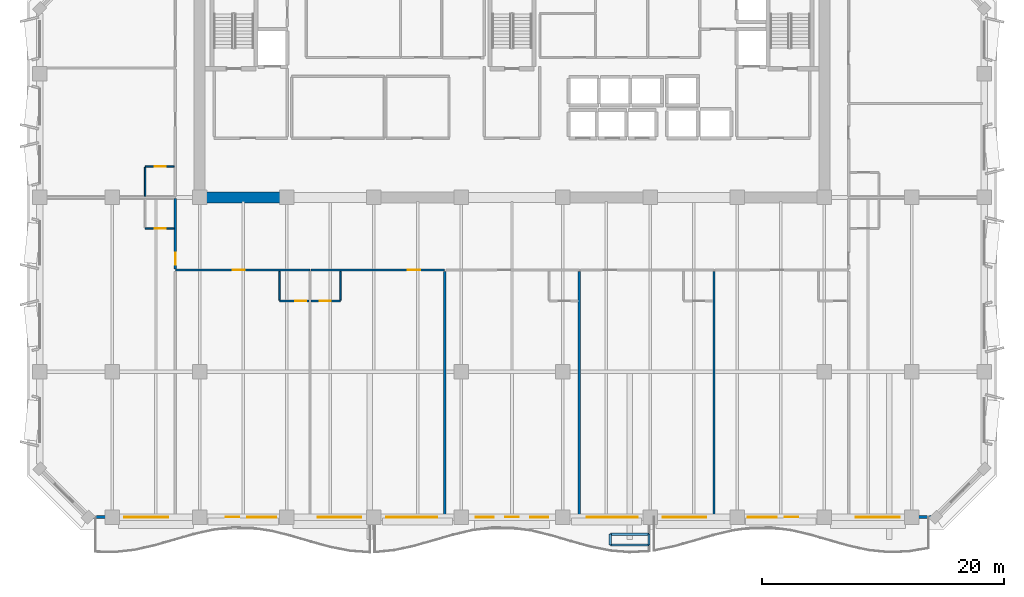
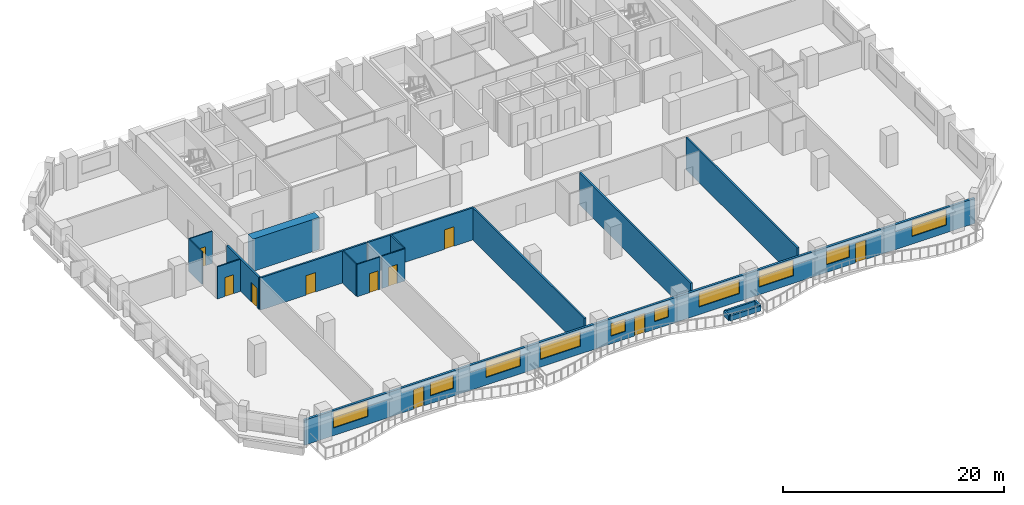
# One storey, part 4 of 14: 19 walls, 10 doors, 10 windows, 20 openings.
"""IFC4 building model written with IfcOpenShell, lengths in metres."""

from ifc_helpers import new_model, si_unit, direction, frame, frame_2d, origin, place, context, subcontext, project, spatial, rectangle, extrude, material, layer, layer_set, type_object, element, fill, save


model = new_model("IFC4")

# Units and contexts
model_context = context("Model", 3, precision=1e-05, world=origin(), true_north=direction((0.0, 1.0)))
body_context = subcontext(model_context, "Body", "Model", "MODEL_VIEW")
ifc_project = project(units=[si_unit("LENGTHUNIT", "METRE"), si_unit("AREAUNIT", "SQUARE_METRE"), si_unit("VOLUMEUNIT", "CUBIC_METRE"), si_unit("PLANEANGLEUNIT", "RADIAN"), si_unit("MASSUNIT", "GRAM", prefix="KILO")], contexts=[model_context])

# Site, building, storey
site_placement = place(None, origin())
site = spatial("IfcSite", under=ifc_project, at=site_placement, CompositionType="ELEMENT")
building_placement = place(site_placement, origin())
building = spatial("IfcBuilding", under=site, at=building_placement, Name="Kaelvorn Grand Hotel", CompositionType="ELEMENT")
storey_placement = place(building_placement, frame((0.0, 0.0, 201.550048828125)))
storey = spatial("IfcBuildingStorey", under=building, at=storey_placement, Name="L49", CompositionType="ELEMENT", Elevation=201.550048828125)

# Wall
ifc_material_1 = material(Name="Concrete C60/75", Category="concrete")
ifc_layer_1 = layer(ifc_material_1, 0.89990234375)
ifc_layer_set_1 = layer_set([ifc_layer_1], Name="Concrete C60/75")
wall_type_1 = type_object("IfcWallType", Name="WL-CORE-900-C60", PredefinedType="SHEAR", material=ifc_layer_set_1)
wall_1_placement = place(storey_placement, frame((16.655029296875, 29.39990234375, 0.0), z_axis=(0.0, 0.0, 1.0), x_axis=(1.0, 0.0, 0.0)))
element("IfcWall", 1, at=wall_1_placement, inside=storey, type_object=wall_type_1, Name="L49 Rear-Core Coupled Shear Pier S1", PredefinedType="SHEAR", context=body_context, shape_type="SweptSolid", body=[
    extrude(rectangle(XDim=6.945068359375, YDim=0.89990234375, at=frame_2d((3.47265625, 0.0))), origin(), (0.0, 0.0, 1.0), 3.56005859375),
])

# Wall, openings, doors, windows
ifc_material_2 = material(Name="Concrete C40/50", Category="concrete")
ifc_layer_2 = layer(ifc_material_2, 0.239990234375)
ifc_layer_set_2 = layer_set([ifc_layer_2], Name="Concrete C40/50")
wall_type_2 = type_object("IfcWallType", Name="WL-EXT-240-C40", PredefinedType="SOLIDWALL", material=ifc_layer_set_2)
wall_2_placement = place(storey_placement, frame((7.0, 3.0, 0.0), z_axis=(0.0, 0.0, 1.0), x_axis=(1.0, 0.0, 0.0)))
wall_2 = element("IfcWall", 2, at=wall_2_placement, inside=storey, type_object=wall_type_2, Name="L49 Exterior Architectural Concrete Wall 01", PredefinedType="SOLIDWALL", context=body_context, shape_type="SweptSolid", body=[
    extrude(rectangle(XDim=70.0, YDim=0.239990234375, at=frame_2d((35.0, 0.0))), origin(), (0.0, 0.0, 1.0), 2.760009765625),
])
opening_1_placement = place(wall_2_placement, frame((11.38330078125, 0.0, 0.0)))
opening_1 = element("IfcOpeningElement", 3, at=opening_1_placement, cuts=wall_2, Name="Opening DE2", PredefinedType="OPENING", context=body_context, shape_type="SweptSolid", body=[
    extrude(rectangle(XDim=1.10009765625, YDim=2.14990234375, at=frame_2d((0.550048828125, 1.074951171875))), frame((0.0, 0.1298828125, 0.0), z_axis=(0.0, -1.0, 0.0), x_axis=(1.0, 0.0, 0.0)), (0.0, 0.0, 1.0), 0.260009765625),
])
opening_2_placement = place(wall_2_placement, frame((34.449951171875, 0.0, 0.0)))
opening_2 = element("IfcOpeningElement", 4, at=opening_2_placement, cuts=wall_2, Name="Opening DE2", PredefinedType="OPENING", context=body_context, shape_type="SweptSolid", body=[
    extrude(rectangle(XDim=1.10009765625, YDim=2.14990234375, at=frame_2d((0.550048828125, 1.074951171875))), frame((0.0, 0.1298828125, 0.0), z_axis=(0.0, -1.0, 0.0), x_axis=(1.0, 0.0, 0.0)), (0.0, 0.0, 1.0), 0.260009765625),
])
opening_3_placement = place(wall_2_placement, frame((57.5166015625, 0.0, 0.0)))
opening_3 = element("IfcOpeningElement", 5, at=opening_3_placement, cuts=wall_2, Name="Opening DE2", PredefinedType="OPENING", context=body_context, shape_type="SweptSolid", body=[
    extrude(rectangle(XDim=1.10009765625, YDim=2.14990234375, at=frame_2d((0.550048828125, 1.074951171875))), frame((0.0, 0.1298828125, 0.0), z_axis=(0.0, -1.0, 0.0), x_axis=(1.0, 0.0, 0.0)), (0.0, 0.0, 1.0), 0.260009765625),
])
opening_4_placement = place(wall_2_placement, frame((3.0, 0.0, 0.85009765625)))
opening_4 = element("IfcOpeningElement", 6, at=opening_4_placement, cuts=wall_2, Name="Opening W3", PredefinedType="OPENING", context=body_context, shape_type="SweptSolid", body=[
    extrude(rectangle(XDim=3.60009765625, YDim=1.75, at=frame_2d((1.800048828125, 0.875))), frame((0.0, 0.1298828125, 0.0), z_axis=(0.0, -1.0, 0.0), x_axis=(1.0, 0.0, 0.0)), (0.0, 0.0, 1.0), 0.260009765625),
])
opening_5_placement = place(wall_2_placement, frame((13.126708984375, 0.0, 0.85009765625)))
opening_5 = element("IfcOpeningElement", 7, at=opening_5_placement, cuts=wall_2, Name="Opening W6", PredefinedType="OPENING", context=body_context, shape_type="SweptSolid", body=[
    extrude(rectangle(XDim=2.39990234375, YDim=1.5, at=frame_2d((1.199951171875, 0.75))), frame((0.0, 0.1298828125, 0.0), z_axis=(0.0, -1.0, 0.0), x_axis=(1.0, 0.0, 0.0)), (0.0, 0.0, 1.0), 0.260009765625),
])
opening_6_placement = place(wall_2_placement, frame((18.9599609375, 0.0, 0.85009765625)))
opening_6 = element("IfcOpeningElement", 8, at=opening_6_placement, cuts=wall_2, Name="Opening W3", PredefinedType="OPENING", context=body_context, shape_type="SweptSolid", body=[
    extrude(rectangle(XDim=3.60009765625, YDim=1.75, at=frame_2d((1.800048828125, 0.875))), frame((0.0, 0.1298828125, 0.0), z_axis=(0.0, -1.0, 0.0), x_axis=(1.0, 0.0, 0.0)), (0.0, 0.0, 1.0), 0.260009765625),
])
opening_7_placement = place(wall_2_placement, frame((24.6201171875, 0.0, 0.85009765625)))
opening_7 = element("IfcOpeningElement", 9, at=opening_7_placement, cuts=wall_2, Name="Opening W2", PredefinedType="OPENING", context=body_context, shape_type="SweptSolid", body=[
    extrude(rectangle(XDim=4.199951171875, YDim=1.64990234375, at=frame_2d((2.10009765625, 0.824951171875))), frame((0.0, 0.1298828125, 0.0), z_axis=(0.0, -1.0, 0.0), x_axis=(1.0, 0.0, 0.0)), (0.0, 0.0, 1.0), 0.260009765625),
])
opening_8_placement = place(wall_2_placement, frame((31.989990234375, 0.0, 0.85009765625)))
opening_8 = element("IfcOpeningElement", 10, at=opening_8_placement, cuts=wall_2, Name="Opening W10", PredefinedType="OPENING", context=body_context, shape_type="SweptSolid", body=[
    extrude(rectangle(XDim=1.5, YDim=1.39990234375, at=frame_2d((0.75, 0.699951171875))), frame((0.0, 0.1298828125, 0.0), z_axis=(0.0, -1.0, 0.0), x_axis=(1.0, 0.0, 0.0)), (0.0, 0.0, 1.0), 0.260009765625),
])
opening_9_placement = place(wall_2_placement, frame((36.510009765625, 0.0, 0.85009765625)))
opening_9 = element("IfcOpeningElement", 11, at=opening_9_placement, cuts=wall_2, Name="Opening W10", PredefinedType="OPENING", context=body_context, shape_type="SweptSolid", body=[
    extrude(rectangle(XDim=1.5, YDim=1.39990234375, at=frame_2d((0.75, 0.699951171875))), frame((0.0, 0.1298828125, 0.0), z_axis=(0.0, -1.0, 0.0), x_axis=(1.0, 0.0, 0.0)), (0.0, 0.0, 1.0), 0.260009765625),
])
opening_10_placement = place(wall_2_placement, frame((41.179931640625, 0.0, 0.85009765625)))
opening_10 = element("IfcOpeningElement", 12, at=opening_10_placement, cuts=wall_2, Name="Opening W2", PredefinedType="OPENING", context=body_context, shape_type="SweptSolid", body=[
    extrude(rectangle(XDim=4.199951171875, YDim=1.64990234375, at=frame_2d((2.10009765625, 0.824951171875))), frame((0.0, 0.1298828125, 0.0), z_axis=(0.0, -1.0, 0.0), x_axis=(1.0, 0.0, 0.0)), (0.0, 0.0, 1.0), 0.260009765625),
])
opening_11_placement = place(wall_2_placement, frame((47.43994140625, 0.0, 0.85009765625)))
opening_11 = element("IfcOpeningElement", 13, at=opening_11_placement, cuts=wall_2, Name="Opening W3", PredefinedType="OPENING", context=body_context, shape_type="SweptSolid", body=[
    extrude(rectangle(XDim=3.60009765625, YDim=1.75, at=frame_2d((1.800048828125, 0.875))), frame((0.0, 0.1298828125, 0.0), z_axis=(0.0, -1.0, 0.0), x_axis=(1.0, 0.0, 0.0)), (0.0, 0.0, 1.0), 0.260009765625),
])
opening_12_placement = place(wall_2_placement, frame((54.473388671875, 0.0, 0.85009765625)))
opening_12 = element("IfcOpeningElement", 14, at=opening_12_placement, cuts=wall_2, Name="Opening W6", PredefinedType="OPENING", context=body_context, shape_type="SweptSolid", body=[
    extrude(rectangle(XDim=2.39990234375, YDim=1.5, at=frame_2d((1.199951171875, 0.75))), frame((0.0, 0.1298828125, 0.0), z_axis=(0.0, -1.0, 0.0), x_axis=(1.0, 0.0, 0.0)), (0.0, 0.0, 1.0), 0.260009765625),
])
opening_13_placement = place(wall_2_placement, frame((63.39990234375, 0.0, 0.85009765625)))
opening_13 = element("IfcOpeningElement", 15, at=opening_13_placement, cuts=wall_2, Name="Opening W3", PredefinedType="OPENING", context=body_context, shape_type="SweptSolid", body=[
    extrude(rectangle(XDim=3.60009765625, YDim=1.75, at=frame_2d((1.800048828125, 0.875))), frame((0.0, 0.1298828125, 0.0), z_axis=(0.0, -1.0, 0.0), x_axis=(1.0, 0.0, 0.0)), (0.0, 0.0, 1.0), 0.260009765625),
])
ifc_material_3 = material(Name="Anodised Aluminium", Category="aluminium")
door_type_1 = type_object("IfcDoorType", Name="DR-EXT-BALC-1100x2150", OperationType="NOTDEFINED", PredefinedType="DOOR", material=ifc_material_3)
door_1_placement = place(opening_1_placement, origin())
door_1 = element("IfcDoor", 16, at=door_1_placement, inside=storey, type_object=door_type_1, Name="L49 Scalloped Balcony Glazed Door DE2-1", OperationType="SINGLE_SWING_RIGHT", OverallHeight=2.14990234375, OverallWidth=1.10009765625, PredefinedType="DOOR", context=body_context, shape_type="SweptSolid", body=[
    extrude(rectangle(XDim=1.10009765625, YDim=2.14990234375, at=frame_2d((0.550048828125, 1.074951171875))), frame((0.0, 0.02490234375, 0.0), z_axis=(0.0, -1.0, 0.0), x_axis=(1.0, 0.0, 0.0)), (0.0, 0.0, 1.0), 0.050048828125),
])
fill(opening_1, door_1)
door_2_placement = place(opening_2_placement, origin())
door_2 = element("IfcDoor", 17, at=door_2_placement, inside=storey, type_object=door_type_1, Name="L49 Scalloped Balcony Glazed Door DE2-2", OperationType="SINGLE_SWING_LEFT", OverallHeight=2.14990234375, OverallWidth=1.10009765625, PredefinedType="DOOR", context=body_context, shape_type="SweptSolid", body=[
    extrude(rectangle(XDim=1.10009765625, YDim=2.14990234375, at=frame_2d((0.550048828125, 1.074951171875))), frame((0.0, 0.02490234375, 0.0), z_axis=(0.0, -1.0, 0.0), x_axis=(1.0, 0.0, 0.0)), (0.0, 0.0, 1.0), 0.050048828125),
])
fill(opening_2, door_2)
door_3_placement = place(opening_3_placement, origin())
door_3 = element("IfcDoor", 18, at=door_3_placement, inside=storey, type_object=door_type_1, Name="L49 Scalloped Balcony Glazed Door DE2-3", OperationType="SINGLE_SWING_RIGHT", OverallHeight=2.14990234375, OverallWidth=1.10009765625, PredefinedType="DOOR", context=body_context, shape_type="SweptSolid", body=[
    extrude(rectangle(XDim=1.10009765625, YDim=2.14990234375, at=frame_2d((0.550048828125, 1.074951171875))), frame((0.0, 0.02490234375, 0.0), z_axis=(0.0, -1.0, 0.0), x_axis=(1.0, 0.0, 0.0)), (0.0, 0.0, 1.0), 0.050048828125),
])
fill(opening_3, door_3)
ifc_material_4 = material(Name="Laminated Low-E Glass", Category="glass")
window_type_1 = type_object("IfcWindowType", Name="WIN-COR-1500x1400", PartitioningType="SINGLE_PANEL", PredefinedType="WINDOW", material=ifc_material_4)
window_1_placement = place(opening_8_placement, origin())
window_1 = element("IfcWindow", 19, at=window_1_placement, inside=storey, type_object=window_type_1, Name="L49 South Guestroom Ribbon Window SR05", OverallHeight=1.39990234375, OverallWidth=1.5, PartitioningType="SINGLE_PANEL", PredefinedType="WINDOW", context=body_context, shape_type="SweptSolid", body=[
    extrude(rectangle(XDim=1.5, YDim=1.39990234375, at=frame_2d((0.75, 0.699951171875))), frame((0.0, 0.030029296875, 0.0), z_axis=(0.0, -1.0, 0.0), x_axis=(1.0, 0.0, 0.0)), (0.0, 0.0, 1.0), 0.06005859375),
])
fill(opening_8, window_1)
window_2_placement = place(opening_9_placement, origin())
window_2 = element("IfcWindow", 20, at=window_2_placement, inside=storey, type_object=window_type_1, Name="L49 South Guestroom Ribbon Window SR06", OverallHeight=1.39990234375, OverallWidth=1.5, PartitioningType="SINGLE_PANEL", PredefinedType="WINDOW", context=body_context, shape_type="SweptSolid", body=[
    extrude(rectangle(XDim=1.5, YDim=1.39990234375, at=frame_2d((0.75, 0.699951171875))), frame((0.0, 0.030029296875, 0.0), z_axis=(0.0, -1.0, 0.0), x_axis=(1.0, 0.0, 0.0)), (0.0, 0.0, 1.0), 0.06005859375),
])
fill(opening_9, window_2)
window_type_2 = type_object("IfcWindowType", Name="WIN-NTH-2400x1500", PartitioningType="SINGLE_PANEL", PredefinedType="WINDOW", material=ifc_material_4)
window_3_placement = place(opening_5_placement, origin())
window_3 = element("IfcWindow", 21, at=window_3_placement, inside=storey, type_object=window_type_2, Name="L49 South Guestroom Ribbon Window SR02", OverallHeight=1.5, OverallWidth=2.39990234375, PartitioningType="SINGLE_PANEL", PredefinedType="WINDOW", context=body_context, shape_type="SweptSolid", body=[
    extrude(rectangle(XDim=2.39990234375, YDim=1.5, at=frame_2d((1.199951171875, 0.75))), frame((0.0, 0.030029296875, 0.0), z_axis=(0.0, -1.0, 0.0), x_axis=(1.0, 0.0, 0.0)), (0.0, 0.0, 1.0), 0.06005859375),
])
fill(opening_5, window_3)
window_4_placement = place(opening_12_placement, origin())
window_4 = element("IfcWindow", 22, at=window_4_placement, inside=storey, type_object=window_type_2, Name="L49 South Guestroom Ribbon Window SR09", OverallHeight=1.5, OverallWidth=2.39990234375, PartitioningType="SINGLE_PANEL", PredefinedType="WINDOW", context=body_context, shape_type="SweptSolid", body=[
    extrude(rectangle(XDim=2.39990234375, YDim=1.5, at=frame_2d((1.199951171875, 0.75))), frame((0.0, 0.030029296875, 0.0), z_axis=(0.0, -1.0, 0.0), x_axis=(1.0, 0.0, 0.0)), (0.0, 0.0, 1.0), 0.06005859375),
])
fill(opening_12, window_4)
window_type_3 = type_object("IfcWindowType", Name="WIN-RIB-3600x1750", PartitioningType="SINGLE_PANEL", PredefinedType="WINDOW", material=ifc_material_4)
window_5_placement = place(opening_4_placement, origin())
window_5 = element("IfcWindow", 23, at=window_5_placement, inside=storey, type_object=window_type_3, Name="L49 South Guestroom Ribbon Window SR01", OverallHeight=1.75, OverallWidth=3.60009765625, PartitioningType="SINGLE_PANEL", PredefinedType="WINDOW", context=body_context, shape_type="SweptSolid", body=[
    extrude(rectangle(XDim=3.60009765625, YDim=1.75, at=frame_2d((1.800048828125, 0.875))), frame((0.0, 0.030029296875, 0.0), z_axis=(0.0, -1.0, 0.0), x_axis=(1.0, 0.0, 0.0)), (0.0, 0.0, 1.0), 0.06005859375),
])
fill(opening_4, window_5)
window_6_placement = place(opening_6_placement, origin())
window_6 = element("IfcWindow", 24, at=window_6_placement, inside=storey, type_object=window_type_3, Name="L49 South Guestroom Ribbon Window SR03", OverallHeight=1.75, OverallWidth=3.60009765625, PartitioningType="SINGLE_PANEL", PredefinedType="WINDOW", context=body_context, shape_type="SweptSolid", body=[
    extrude(rectangle(XDim=3.60009765625, YDim=1.75, at=frame_2d((1.800048828125, 0.875))), frame((0.0, 0.030029296875, 0.0), z_axis=(0.0, -1.0, 0.0), x_axis=(1.0, 0.0, 0.0)), (0.0, 0.0, 1.0), 0.06005859375),
])
fill(opening_6, window_6)
window_7_placement = place(opening_11_placement, origin())
window_7 = element("IfcWindow", 25, at=window_7_placement, inside=storey, type_object=window_type_3, Name="L49 South Guestroom Ribbon Window SR08", OverallHeight=1.75, OverallWidth=3.60009765625, PartitioningType="SINGLE_PANEL", PredefinedType="WINDOW", context=body_context, shape_type="SweptSolid", body=[
    extrude(rectangle(XDim=3.60009765625, YDim=1.75, at=frame_2d((1.800048828125, 0.875))), frame((0.0, 0.030029296875, 0.0), z_axis=(0.0, -1.0, 0.0), x_axis=(1.0, 0.0, 0.0)), (0.0, 0.0, 1.0), 0.06005859375),
])
fill(opening_11, window_7)
window_8_placement = place(opening_13_placement, origin())
window_8 = element("IfcWindow", 26, at=window_8_placement, inside=storey, type_object=window_type_3, Name="L49 South Guestroom Ribbon Window SR10", OverallHeight=1.75, OverallWidth=3.60009765625, PartitioningType="SINGLE_PANEL", PredefinedType="WINDOW", context=body_context, shape_type="SweptSolid", body=[
    extrude(rectangle(XDim=3.60009765625, YDim=1.75, at=frame_2d((1.800048828125, 0.875))), frame((0.0, 0.030029296875, 0.0), z_axis=(0.0, -1.0, 0.0), x_axis=(1.0, 0.0, 0.0)), (0.0, 0.0, 1.0), 0.06005859375),
])
fill(opening_13, window_8)
window_type_4 = type_object("IfcWindowType", Name="WIN-RIB-4200x1650", PartitioningType="SINGLE_PANEL", PredefinedType="WINDOW", material=ifc_material_4)
window_9_placement = place(opening_7_placement, origin())
window_9 = element("IfcWindow", 27, at=window_9_placement, inside=storey, type_object=window_type_4, Name="L49 South Guestroom Ribbon Window SR04", OverallHeight=1.64990234375, OverallWidth=4.199951171875, PartitioningType="SINGLE_PANEL", PredefinedType="WINDOW", context=body_context, shape_type="SweptSolid", body=[
    extrude(rectangle(XDim=4.199951171875, YDim=1.64990234375, at=frame_2d((2.10009765625, 0.824951171875))), frame((0.0, 0.030029296875, 0.0), z_axis=(0.0, -1.0, 0.0), x_axis=(1.0, 0.0, 0.0)), (0.0, 0.0, 1.0), 0.06005859375),
])
fill(opening_7, window_9)
window_10_placement = place(opening_10_placement, origin())
window_10 = element("IfcWindow", 28, at=window_10_placement, inside=storey, type_object=window_type_4, Name="L49 South Guestroom Ribbon Window SR07", OverallHeight=1.64990234375, OverallWidth=4.199951171875, PartitioningType="SINGLE_PANEL", PredefinedType="WINDOW", context=body_context, shape_type="SweptSolid", body=[
    extrude(rectangle(XDim=4.199951171875, YDim=1.64990234375, at=frame_2d((2.10009765625, 0.824951171875))), frame((0.0, 0.030029296875, 0.0), z_axis=(0.0, -1.0, 0.0), x_axis=(1.0, 0.0, 0.0)), (0.0, 0.0, 1.0), 0.06005859375),
])
fill(opening_10, window_10)

# Wall, opening, door
ifc_material_5 = material(Name="Moisture-Resistant Tile & Stud Board")
ifc_layer_3 = layer(ifc_material_5, 0.125)
ifc_layer_set_3 = layer_set([ifc_layer_3], Name="Moisture-Resistant Tile & Stud Board")
wall_type_3 = type_object("IfcWallType", Name="WL-PART-125-WET", PredefinedType="PARTITIONING", material=ifc_layer_set_3)
wall_3_placement = place(storey_placement, frame((22.820068359375, 20.85009765625, 0.0), z_axis=(0.0, 0.0, 1.0), x_axis=(1.0, 0.0, 0.0)))
wall_3 = element("IfcWall", 29, at=wall_3_placement, inside=storey, type_object=wall_type_3, Name="L49 En-suite Bathroom L49-01 S Partition", PredefinedType="PARTITIONING", context=body_context, shape_type="SweptSolid", body=[
    extrude(rectangle(XDim=2.405029296875, YDim=0.125, at=frame_2d((1.20263671875, 0.0))), origin(), (0.0, 0.0, 1.0), 3.56005859375),
])
opening_14_placement = place(wall_3_placement, frame((1.300048828125, 0.0, 0.0)))
opening_14 = element("IfcOpeningElement", 30, at=opening_14_placement, cuts=wall_3, Name="Opening DI4", PredefinedType="OPENING", context=body_context, shape_type="SweptSolid", body=[
    extrude(rectangle(XDim=0.89990234375, YDim=2.10009765625, at=frame_2d((0.449951171875, 1.050048828125))), frame((0.0, 0.072509765625, 0.0), z_axis=(0.0, -1.0, 0.0), x_axis=(1.0, 0.0, 0.0)), (0.0, 0.0, 1.0), 0.14501953125),
])
ifc_material_6 = material(Name="Timber Veneer Leaf", Category="wood")
door_type_2 = type_object("IfcDoorType", Name="DR-INT-BATH-900x2100", OperationType="NOTDEFINED", PredefinedType="DOOR", material=ifc_material_6)
door_4_placement = place(opening_14_placement, origin())
door_4 = element("IfcDoor", 31, at=door_4_placement, inside=storey, type_object=door_type_2, Name="L49 En-suite Bathroom L49-01 Door", OperationType="SINGLE_SWING_LEFT", OverallHeight=2.10009765625, OverallWidth=0.89990234375, PredefinedType="DOOR", context=body_context, shape_type="SweptSolid", body=[
    extrude(rectangle(XDim=0.89990234375, YDim=2.10009765625, at=frame_2d((0.449951171875, 1.050048828125))), frame((0.0, 0.02490234375, 0.0), z_axis=(0.0, -1.0, 0.0), x_axis=(1.0, 0.0, 0.0)), (0.0, 0.0, 1.0), 0.050048828125),
])
fill(opening_14, door_4)

# Wall
wall_4_placement = place(storey_placement, frame((22.820068359375, 20.91748046875, 0.0), z_axis=(0.0, 0.0, 1.0), x_axis=(0.0, 1.0, 0.0)))
element("IfcWall", 32, at=wall_4_placement, inside=storey, type_object=wall_type_3, Name="L49 En-suite Bathroom L49-01 W Partition", PredefinedType="PARTITIONING", context=body_context, shape_type="SweptSolid", body=[
    extrude(rectangle(XDim=2.387451171875, YDim=0.125, at=frame_2d((1.19384765625, 0.0))), origin(), (0.0, 0.0, 1.0), 3.56005859375),
])

# Wall, opening, door
wall_5_placement = place(storey_placement, frame((25.4150390625, 20.85009765625, 0.0), z_axis=(0.0, 0.0, 1.0), x_axis=(1.0, 0.0, 0.0)))
wall_5 = element("IfcWall", 33, at=wall_5_placement, inside=storey, type_object=wall_type_3, Name="L49 En-suite Bathroom L49-02 S Partition", PredefinedType="PARTITIONING", context=body_context, shape_type="SweptSolid", body=[
    extrude(rectangle(XDim=2.405029296875, YDim=0.125, at=frame_2d((1.20263671875, 0.0))), origin(), (0.0, 0.0, 1.0), 3.56005859375),
])
opening_15_placement = place(wall_5_placement, frame((0.705078125, 0.0, 0.0)))
opening_15 = element("IfcOpeningElement", 34, at=opening_15_placement, cuts=wall_5, Name="Opening DI4", PredefinedType="OPENING", context=body_context, shape_type="SweptSolid", body=[
    extrude(rectangle(XDim=0.89990234375, YDim=2.10009765625, at=frame_2d((0.449951171875, 1.050048828125))), frame((0.0, 0.072509765625, 0.0), z_axis=(0.0, -1.0, 0.0), x_axis=(1.0, 0.0, 0.0)), (0.0, 0.0, 1.0), 0.14501953125),
])
door_5_placement = place(opening_15_placement, origin())
door_5 = element("IfcDoor", 35, at=door_5_placement, inside=storey, type_object=door_type_2, Name="L49 En-suite Bathroom L49-02 Door", OperationType="SINGLE_SWING_LEFT", OverallHeight=2.10009765625, OverallWidth=0.89990234375, PredefinedType="DOOR", context=body_context, shape_type="SweptSolid", body=[
    extrude(rectangle(XDim=0.89990234375, YDim=2.10009765625, at=frame_2d((0.449951171875, 1.050048828125))), frame((0.0, 0.02490234375, 0.0), z_axis=(0.0, -1.0, 0.0), x_axis=(1.0, 0.0, 0.0)), (0.0, 0.0, 1.0), 0.050048828125),
])
fill(opening_15, door_5)

# Wall
wall_6_placement = place(storey_placement, frame((27.820068359375, 20.91748046875, 0.0), z_axis=(0.0, 0.0, 1.0), x_axis=(0.0, 1.0, 0.0)))
element("IfcWall", 36, at=wall_6_placement, inside=storey, type_object=wall_type_3, Name="L49 En-suite Bathroom L49-02 E Partition", PredefinedType="PARTITIONING", context=body_context, shape_type="SweptSolid", body=[
    extrude(rectangle(XDim=2.387451171875, YDim=0.125, at=frame_2d((1.19384765625, 0.0))), origin(), (0.0, 0.0, 1.0), 3.56005859375),
])

# Wall, opening, door
wall_7_placement = place(storey_placement, frame((11.699951171875, 26.85009765625, 0.0), z_axis=(0.0, 0.0, 1.0), x_axis=(1.0, 0.0, 0.0)))
wall_7 = element("IfcWall", 37, at=wall_7_placement, inside=storey, type_object=wall_type_3, Name="L49 En-suite Bathroom L49-06 S Partition", PredefinedType="PARTITIONING", context=body_context, shape_type="SweptSolid", body=[
    extrude(rectangle(XDim=2.405029296875, YDim=0.125, at=frame_2d((1.20263671875, 0.0))), origin(), (0.0, 0.0, 1.0), 3.56005859375),
])
opening_16_placement = place(wall_7_placement, frame((0.800048828125, 0.0, 0.0)))
opening_16 = element("IfcOpeningElement", 38, at=opening_16_placement, cuts=wall_7, Name="Opening DI4", PredefinedType="OPENING", context=body_context, shape_type="SweptSolid", body=[
    extrude(rectangle(XDim=0.89990234375, YDim=2.10009765625, at=frame_2d((0.449951171875, 1.050048828125))), frame((0.0, 0.072509765625, 0.0), z_axis=(0.0, -1.0, 0.0), x_axis=(1.0, 0.0, 0.0)), (0.0, 0.0, 1.0), 0.14501953125),
])
door_6_placement = place(opening_16_placement, origin())
door_6 = element("IfcDoor", 39, at=door_6_placement, inside=storey, type_object=door_type_2, Name="L49 En-suite Bathroom L49-06 Door", OperationType="SINGLE_SWING_LEFT", OverallHeight=2.10009765625, OverallWidth=0.89990234375, PredefinedType="DOOR", context=body_context, shape_type="SweptSolid", body=[
    extrude(rectangle(XDim=0.89990234375, YDim=2.10009765625, at=frame_2d((0.449951171875, 1.050048828125))), frame((0.0, 0.02490234375, 0.0), z_axis=(0.0, -1.0, 0.0), x_axis=(1.0, 0.0, 0.0)), (0.0, 0.0, 1.0), 0.050048828125),
])
fill(opening_16, door_6)

wall_8_placement = place(storey_placement, frame((11.699951171875, 31.949951171875, 0.0), z_axis=(0.0, 0.0, 1.0), x_axis=(1.0, 0.0, 0.0)))
wall_8 = element("IfcWall", 40, at=wall_8_placement, inside=storey, type_object=wall_type_3, Name="L49 En-suite Bathroom L49-08 N Partition", PredefinedType="PARTITIONING", context=body_context, shape_type="SweptSolid", body=[
    extrude(rectangle(XDim=2.405029296875, YDim=0.125, at=frame_2d((1.20263671875, 0.0))), origin(), (0.0, 0.0, 1.0), 3.56005859375),
])
opening_17_placement = place(wall_8_placement, frame((0.800048828125, 0.0, 0.0)))
opening_17 = element("IfcOpeningElement", 41, at=opening_17_placement, cuts=wall_8, Name="Opening DI4", PredefinedType="OPENING", context=body_context, shape_type="SweptSolid", body=[
    extrude(rectangle(XDim=0.89990234375, YDim=2.10009765625, at=frame_2d((0.449951171875, 1.050048828125))), frame((0.0, 0.072509765625, 0.0), z_axis=(0.0, -1.0, 0.0), x_axis=(1.0, 0.0, 0.0)), (0.0, 0.0, 1.0), 0.14501953125),
])
door_7_placement = place(opening_17_placement, origin())
door_7 = element("IfcDoor", 42, at=door_7_placement, inside=storey, type_object=door_type_2, Name="L49 En-suite Bathroom L49-08 Door", OperationType="SINGLE_SWING_LEFT", OverallHeight=2.10009765625, OverallWidth=0.89990234375, PredefinedType="DOOR", context=body_context, shape_type="SweptSolid", body=[
    extrude(rectangle(XDim=0.89990234375, YDim=2.10009765625, at=frame_2d((0.449951171875, 1.050048828125))), frame((0.0, 0.02490234375, 0.0), z_axis=(0.0, -1.0, 0.0), x_axis=(1.0, 0.0, 0.0)), (0.0, 0.0, 1.0), 0.050048828125),
])
fill(opening_17, door_7)

# Wall
wall_9_placement = place(storey_placement, frame((11.699951171875, 29.4951171875, 0.0), z_axis=(0.0, 0.0, 1.0), x_axis=(0.0, 1.0, 0.0)))
element("IfcWall", 43, at=wall_9_placement, inside=storey, type_object=wall_type_3, Name="L49 En-suite Bathroom L49-08 W Partition", PredefinedType="PARTITIONING", context=body_context, shape_type="SweptSolid", body=[
    extrude(rectangle(XDim=2.387451171875, YDim=0.125, at=frame_2d((1.19384765625, 0.0))), origin(), (0.0, 0.0, 1.0), 3.56005859375),
])

# Wall, opening, door
ifc_material_7 = material(Name="Acoustic Gypsum & Stud Partition")
ifc_layer_4 = layer(ifc_material_7, 0.179931640625)
ifc_layer_set_4 = layer_set([ifc_layer_4], Name="Acoustic Gypsum & Stud Partition")
wall_type_4 = type_object("IfcWallType", Name="WL-PART-180-EI60", PredefinedType="PARTITIONING", material=ifc_layer_set_4)
wall_10_placement = place(storey_placement, frame((14.199951171875, 23.39990234375, 0.0), z_axis=(0.0, 0.0, 1.0), x_axis=(1.0, 0.0, 0.0)))
wall_10 = element("IfcWall", 44, at=wall_10_placement, inside=storey, type_object=wall_type_4, Name="L49 Mid-Rise Signature Suite L49-01 N Partition", PredefinedType="PARTITIONING", context=body_context, shape_type="SweptSolid", body=[
    extrude(rectangle(XDim=11.1201171875, YDim=0.179931640625, at=frame_2d((5.56005859375, 0.0))), origin(), (0.0, 0.0, 1.0), 3.56005859375),
])
opening_18_placement = place(wall_10_placement, frame((4.75, 0.0, 0.0)))
opening_18 = element("IfcOpeningElement", 45, at=opening_18_placement, cuts=wall_10, Name="Opening DI3", PredefinedType="OPENING", context=body_context, shape_type="SweptSolid", body=[
    extrude(rectangle(XDim=1.0, YDim=2.14990234375, at=frame_2d((0.5, 1.074951171875))), frame((0.0, 0.10009765625, 0.0), z_axis=(0.0, -1.0, 0.0), x_axis=(1.0, 0.0, 0.0)), (0.0, 0.0, 1.0), 0.199951171875),
])
ifc_material_8 = material(Name="Timber Veneer Fire Leaf", Category="wood")
door_type_3 = type_object("IfcDoorType", Name="DR-INT-GUEST-1000x2150", OperationType="NOTDEFINED", PredefinedType="DOOR", material=ifc_material_8)
door_8_placement = place(opening_18_placement, origin())
door_8 = element("IfcDoor", 46, at=door_8_placement, inside=storey, type_object=door_type_3, Name="L49 Mid-Rise Signature Suite L49-01 Door", OperationType="SINGLE_SWING_RIGHT", OverallHeight=2.14990234375, OverallWidth=1.0, PredefinedType="DOOR", context=body_context, shape_type="SweptSolid", body=[
    extrude(rectangle(XDim=1.0, YDim=2.14990234375, at=frame_2d((0.5, 1.074951171875))), frame((0.0, 0.02490234375, 0.0), z_axis=(0.0, -1.0, 0.0), x_axis=(1.0, 0.0, 0.0)), (0.0, 0.0, 1.0), 0.050048828125),
])
fill(opening_18, door_8)

wall_11_placement = place(storey_placement, frame((25.4150390625, 23.39990234375, 0.0), z_axis=(0.0, 0.0, 1.0), x_axis=(1.0, 0.0, 0.0)))
wall_11 = element("IfcWall", 47, at=wall_11_placement, inside=storey, type_object=wall_type_4, Name="L49 Mid-Rise Signature Suite L49-02 N Partition", PredefinedType="PARTITIONING", context=body_context, shape_type="SweptSolid", body=[
    extrude(rectangle(XDim=11.02490234375, YDim=0.179931640625, at=frame_2d((5.512451171875, 0.0))), origin(), (0.0, 0.0, 1.0), 3.56005859375),
])
opening_19_placement = place(wall_11_placement, frame((7.9951171875, 0.0, 0.0)))
opening_19 = element("IfcOpeningElement", 48, at=opening_19_placement, cuts=wall_11, Name="Opening DI3", PredefinedType="OPENING", context=body_context, shape_type="SweptSolid", body=[
    extrude(rectangle(XDim=1.0, YDim=2.14990234375, at=frame_2d((0.5, 1.074951171875))), frame((0.0, 0.10009765625, 0.0), z_axis=(0.0, -1.0, 0.0), x_axis=(1.0, 0.0, 0.0)), (0.0, 0.0, 1.0), 0.199951171875),
])
door_9_placement = place(opening_19_placement, origin())
door_9 = element("IfcDoor", 49, at=door_9_placement, inside=storey, type_object=door_type_3, Name="L49 Mid-Rise Signature Suite L49-02 Door", OperationType="SINGLE_SWING_RIGHT", OverallHeight=2.14990234375, OverallWidth=1.0, PredefinedType="DOOR", context=body_context, shape_type="SweptSolid", body=[
    extrude(rectangle(XDim=1.0, YDim=2.14990234375, at=frame_2d((0.5, 1.074951171875))), frame((0.0, 0.02490234375, 0.0), z_axis=(0.0, -1.0, 0.0), x_axis=(1.0, 0.0, 0.0)), (0.0, 0.0, 1.0), 0.050048828125),
])
fill(opening_19, door_9)

# Walls
for number, where, z_axis, x_axis, name in (
    (50, (36.43994140625, 3.14990234375, 0.0), (0.0, 0.0, 1.0), (0.0, 1.0, 0.0), "L49 Mid-Rise Signature Suite L49-02 E Partition"),
    (51, (47.56005859375, 3.14990234375, 0.0), (0.0, 0.0, 1.0), (0.0, 1.0, 0.0), "L49 Mid-Rise Signature Suite L49-03 E Partition"),
    (52, (58.679931640625, 3.14990234375, 0.0), (0.0, 0.0, 1.0), (0.0, 1.0, 0.0), "L49 Mid-Rise Signature Suite L49-04 E Partition"),
):
    element("IfcWall", number, at=place(storey_placement, frame(where, z_axis=z_axis, x_axis=x_axis)), inside=storey, type_object=wall_type_4, Name=name, PredefinedType="PARTITIONING", context=body_context, shape_type="SweptSolid", body=[
        extrude(rectangle(XDim=20.155029296875, YDim=0.179931640625, at=frame_2d((10.07763671875, 0.0))), origin(), (0.0, 0.0, 1.0), 3.56005859375),
    ])

# Wall, opening, door
wall_12_placement = place(storey_placement, frame((14.199951171875, 23.4951171875, 0.0), z_axis=(0.0, 0.0, 1.0), x_axis=(0.0, 1.0, 0.0)))
wall_12 = element("IfcWall", 53, at=wall_12_placement, inside=storey, type_object=wall_type_4, Name="L49 Presidential Sky Suite L49-06 E Partition", PredefinedType="PARTITIONING", context=body_context, shape_type="SweptSolid", body=[
    extrude(rectangle(XDim=5.809814453125, YDim=0.179931640625, at=frame_2d((2.90478515625, 0.0))), origin(), (0.0, 0.0, 1.0), 3.56005859375),
])
opening_20_placement = place(wall_12_placement, frame((0.35498046875, 0.0, 0.0)))
opening_20 = element("IfcOpeningElement", 54, at=opening_20_placement, cuts=wall_12, Name="Opening DI3", PredefinedType="OPENING", context=body_context, shape_type="SweptSolid", body=[
    extrude(rectangle(XDim=1.0, YDim=2.14990234375, at=frame_2d((0.5, 1.074951171875))), frame((0.0, 0.10009765625, 0.0), z_axis=(0.0, -1.0, 0.0), x_axis=(1.0, 0.0, 0.0)), (0.0, 0.0, 1.0), 0.199951171875),
])
door_10_placement = place(opening_20_placement, origin())
door_10 = element("IfcDoor", 55, at=door_10_placement, inside=storey, type_object=door_type_3, Name="L49 Presidential Sky Suite L49-06 Door", OperationType="SINGLE_SWING_RIGHT", OverallHeight=2.14990234375, OverallWidth=1.0, PredefinedType="DOOR", context=body_context, shape_type="SweptSolid", body=[
    extrude(rectangle(XDim=1.0, YDim=2.14990234375, at=frame_2d((0.5, 1.074951171875))), frame((0.0, 0.02490234375, 0.0), z_axis=(0.0, -1.0, 0.0), x_axis=(1.0, 0.0, 0.0)), (0.0, 0.0, 1.0), 0.050048828125),
])
fill(opening_20, door_10)

# Walls
ifc_layer_5 = layer(ifc_material_2, 0.199951171875)
ifc_layer_set_5 = layer_set([ifc_layer_5], Name="Concrete C40/50")
wall_type_5 = type_object("IfcWallType", Name="WL-TREE-PLANTER-200", PredefinedType="PARAPET", material=ifc_layer_set_5)
wall_13_placement = place(storey_placement, frame((50.1142578125, 0.699951171875, 0.0), z_axis=(0.0, 0.0, 1.0), x_axis=(1.0, 0.0, 0.0)))
element("IfcWall", 56, at=wall_13_placement, inside=storey, type_object=wall_type_5, Name="L49 Planted Balcony Structural TREE PLANTER Kerb 1-S", PredefinedType="PARAPET", context=body_context, shape_type="SweptSolid", body=[
    extrude(rectangle(XDim=3.199951171875, YDim=0.199951171875, at=frame_2d((1.60009765625, 0.0))), origin(), (0.0, 0.0, 1.0), 0.550048828125),
])
wall_14_placement = place(storey_placement, frame((53.314208984375, 0.699951171875, 0.0), z_axis=(0.0, 0.0, 1.0), x_axis=(0.0, 1.0, 0.0)))
element("IfcWall", 57, at=wall_14_placement, inside=storey, type_object=wall_type_5, Name="L49 Planted Balcony Structural TREE PLANTER Kerb 1-E", PredefinedType="PARAPET", context=body_context, shape_type="SweptSolid", body=[
    extrude(rectangle(XDim=0.900146484375, YDim=0.199951171875, at=frame_2d((0.4501953125, 0.0))), origin(), (0.0, 0.0, 1.0), 0.550048828125),
])
wall_15_placement = place(storey_placement, frame((53.314208984375, 1.60009765625, 0.0), z_axis=(0.0, 0.0, 1.0), x_axis=(-1.0, 0.0, 0.0)))
element("IfcWall", 58, at=wall_15_placement, inside=storey, type_object=wall_type_5, Name="L49 Planted Balcony Structural TREE PLANTER Kerb 1-N", PredefinedType="PARAPET", context=body_context, shape_type="SweptSolid", body=[
    extrude(rectangle(XDim=3.199951171875, YDim=0.199951171875, at=frame_2d((1.60009765625, 0.0))), origin(), (0.0, 0.0, 1.0), 0.550048828125),
])
wall_16_placement = place(storey_placement, frame((50.1142578125, 1.60009765625, 0.0), z_axis=(0.0, 0.0, 1.0), x_axis=(0.0, -1.0, 0.0)))
element("IfcWall", 59, at=wall_16_placement, inside=storey, type_object=wall_type_5, Name="L49 Planted Balcony Structural TREE PLANTER Kerb 1-W", PredefinedType="PARAPET", context=body_context, shape_type="SweptSolid", body=[
    extrude(rectangle(XDim=0.900146484375, YDim=0.199951171875, at=frame_2d((0.4501953125, 0.0))), origin(), (0.0, 0.0, 1.0), 0.550048828125),
])

save(model, "model.ifc")
